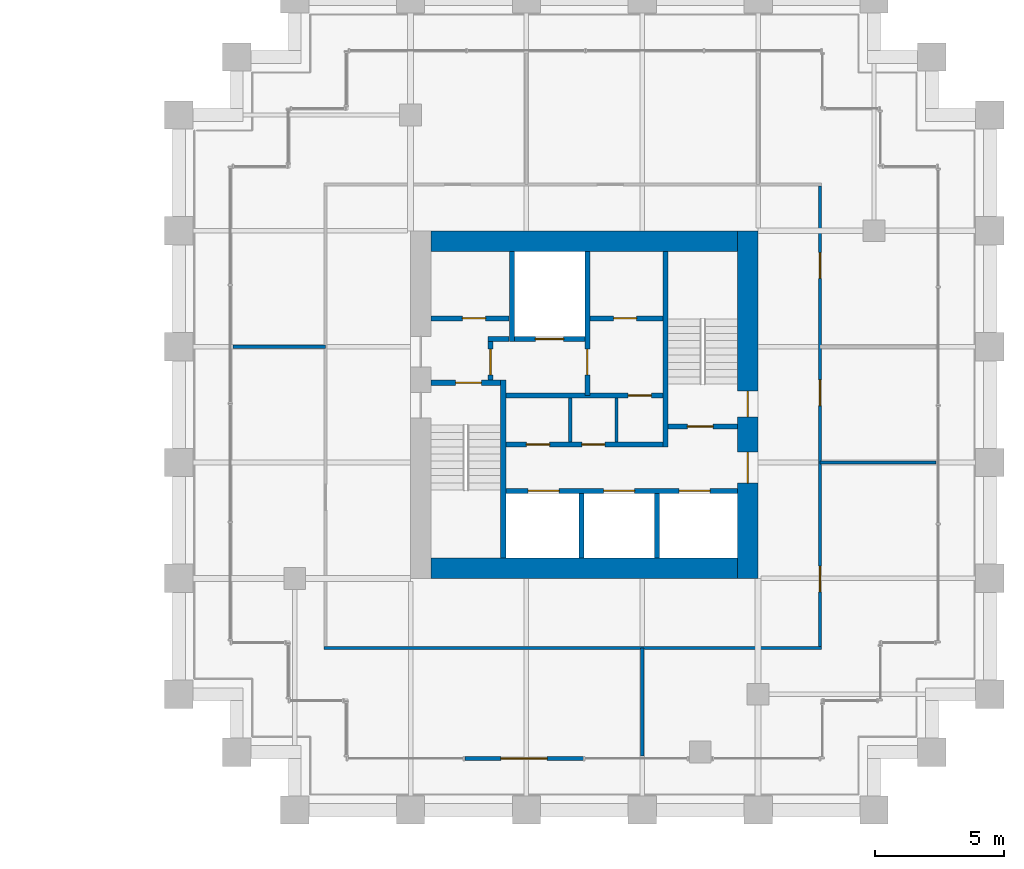
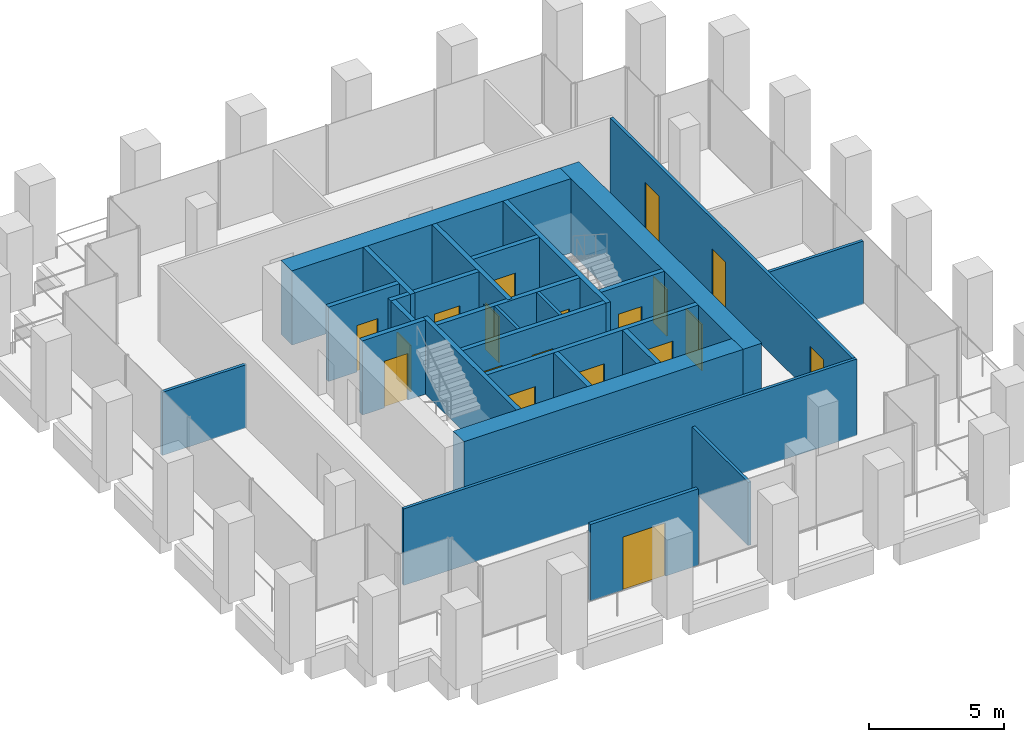
# One storey, part 52 of 54: 27 walls, 19 doors, 19 openings.
"""IFC4 building model written with IfcOpenShell, lengths in metres."""

import ifcopenshell
import ifcopenshell.guid

model = None  # the IFC model being written
_history = None  # IfcOwnerHistory: only IFC2X3 demands one
_inside = {}  # id of a spatial element -> (the spatial element, [elements in it])
_under = {}  # id of a project, library or spatial element -> (it, [spatial elements below it])
_declared = {}  # id of a project -> (the project, [libraries it declares])
_typed = {}  # id of a type object -> (the type object, [elements of that type])
_made_of = {}  # id of a material, layer set ... -> (it, [elements and type objects made of it])


def new_model(schema):
    """Start an empty IFC model of exactly this schema.

    Asked for "IFC4X3", IfcOpenShell would pick the latest addendum, in which some entities
    have other attributes; the version numbers below select the first issue.
    IFC2X3 requires an IfcOwnerHistory on every rooted entity: one is made here for all.
    """
    global model, _history
    if schema == "IFC4X3":
        model = ifcopenshell.file(schema_version=(4, 3, 0, 0))
    else:
        model = ifcopenshell.file(schema=schema)
    _inside.clear()
    _under.clear()
    _declared.clear()
    _typed.clear()
    _made_of.clear()
    _history = None
    if model.schema == "IFC2X3":
        org = make("IfcOrganization", Name="unknown")
        user = make(
            "IfcPersonAndOrganization",
            ThePerson=make("IfcPerson", FamilyName="unknown"),
            TheOrganization=org,
        )
        app = make(
            "IfcApplication",
            ApplicationDeveloper=org,
            Version="unknown",
            ApplicationFullName="unknown",
            ApplicationIdentifier="unknown",
        )
        _history = make(
            "IfcOwnerHistory",
            OwningUser=user,
            OwningApplication=app,
            ChangeAction="ADDED",
            CreationDate=0,
        )
    return model


def make(cls, **values):
    """One entity of the class cls with the attributes given. An attribute that is None is left unset."""
    return model.create_entity(
        cls, **{name: value for name, value in values.items() if value is not None}
    )


def rooted(cls, **values):
    """An entity with a GlobalId (a new one), such as an element, a storey or a relation."""
    return make(cls, GlobalId=ifcopenshell.guid.new(), OwnerHistory=_history, **values)


def si_unit(unit_type, name, prefix=None):
    """IfcSIUnit, for example si_unit("LENGTHUNIT", "METRE", prefix="MILLI")."""
    return make("IfcSIUnit", UnitType=unit_type, Prefix=prefix, Name=name)


def assignment(units):
    """IfcUnitAssignment: the units of a project."""
    return None if units is None else make("IfcUnitAssignment", Units=units)


def point(xyz):
    """IfcCartesianPoint."""
    return None if xyz is None else make("IfcCartesianPoint", Coordinates=xyz)


def direction(xyz):
    """IfcDirection."""
    return None if xyz is None else make("IfcDirection", DirectionRatios=xyz)


def frame(location, z_axis=None, x_axis=None):
    """IfcAxis2Placement3D, a coordinate frame: its origin and axes. An axis left out is left unset."""
    return make(
        "IfcAxis2Placement3D",
        Location=point(location),
        Axis=direction(z_axis),
        RefDirection=direction(x_axis),
    )


def frame_2d(location, x_axis=None):
    """IfcAxis2Placement2D, a coordinate frame in the plane: its origin and x axis."""
    return make(
        "IfcAxis2Placement2D", Location=point(location), RefDirection=direction(x_axis)
    )


def origin():
    """The frame at (0, 0, 0) with its axes left unset."""
    return frame((0.0, 0.0, 0.0))


def place(relative_to, where):
    """IfcLocalPlacement: puts the frame where relative to a parent placement (None: the world)."""
    return make(
        "IfcLocalPlacement", PlacementRelTo=relative_to, RelativePlacement=where
    )


def context(
    kind, dimensions, precision=None, world=None, true_north=None, identifier=None
):
    """IfcGeometricRepresentationContext, for example the 3D "Model" context."""
    return make(
        "IfcGeometricRepresentationContext",
        ContextIdentifier=identifier,
        ContextType=kind,
        CoordinateSpaceDimension=dimensions,
        Precision=precision,
        WorldCoordinateSystem=world,
        TrueNorth=true_north,
    )


def subcontext(parent, identifier, kind, view, scale=None):
    """IfcGeometricRepresentationSubContext, for example "Body" below "Model"."""
    return make(
        "IfcGeometricRepresentationSubContext",
        ContextIdentifier=identifier,
        ContextType=kind,
        ParentContext=parent,
        TargetScale=scale,
        TargetView=view,
    )


def project(units=None, contexts=None):
    """IfcProject with its units and contexts."""
    return rooted(
        "IfcProject",
        Name="project",
        RepresentationContexts=contexts,
        UnitsInContext=assignment(units),
    )


def spatial(cls, under=None, at=None, **own):
    """A site, building, storey or space (cls), placed at a placement, below another one or the project."""
    s = rooted(cls, ObjectPlacement=at, **own)
    if under is not None:
        _under.setdefault(under.id(), (under, []))[1].append(s)
    return s


def profile(cls, at=None, kind="AREA", **sizes):
    """A parametric profile (cls). Its sizes go by their IFC names, for example OverallWidth=200.0."""
    return make(cls, ProfileType=kind, Position=at, **sizes)


def rectangle(**sizes):
    """IfcRectangleProfileDef."""
    return profile("IfcRectangleProfileDef", **sizes)


def extrude(swept, where, along, depth):
    """IfcExtrudedAreaSolid: the profile swept, set in the frame where, extruded along a direction by depth."""
    return make(
        "IfcExtrudedAreaSolid",
        SweptArea=swept,
        Position=where,
        ExtrudedDirection=direction(along),
        Depth=depth,
    )


def shape(context_of_items, identifier, shape_type, items):
    """IfcShapeRepresentation: the items that make up one representation, for example the "Body"."""
    return make(
        "IfcShapeRepresentation",
        ContextOfItems=context_of_items,
        RepresentationIdentifier=identifier,
        RepresentationType=shape_type,
        Items=items,
    )


def material(Name=None, Category=None):
    """IfcMaterial."""
    return make("IfcMaterial", Name=Name, Category=Category)


def layer(
    of_material, thickness, ventilated=None, Name=None, Category=None, Priority=None
):
    """IfcMaterialLayer: one layer of a wall or slab, of a material (None: an air gap)."""
    return make(
        "IfcMaterialLayer",
        Material=of_material,
        LayerThickness=thickness,
        IsVentilated=ventilated,
        Name=Name,
        Category=Category,
        Priority=Priority,
    )


def layer_set(layers, Name=None):
    """IfcMaterialLayerSet."""
    return make("IfcMaterialLayerSet", MaterialLayers=layers, LayerSetName=Name)


def made_of(thing, what):
    """Note that an element or type object is made of a material, layer set ...; save() writes the relation."""
    if what is not None:
        _made_of.setdefault(what.id(), (what, []))[1].append(thing)
    return thing


def type_object(cls, material=None, **own):
    """A type object (cls), such as IfcWallType, which elements share."""
    return made_of(rooted(cls, **own), material)


def element(
    cls,
    number,
    at=None,
    inside=None,
    cuts=None,
    type_object=None,
    material=None,
    context=None,
    identifier="Body",
    shape_type=None,
    held_by="IfcProductDefinitionShape",
    body=None,
    shapes=None,
    **own,
):
    """One element of the class cls, such as IfcWall. Its Tag is "e" and its number.

    at: its placement. inside: the storey or other place that contains it. cuts: it is an
    opening in that element (IfcRelVoidsElement). A single representation is given by context,
    identifier, shape_type and body (its items); several are given by shapes. held_by: the class
    of the entity that holds the representations. save() writes the other relations.
    """
    e = rooted(cls, Tag="e%d" % number, ObjectPlacement=at, **own)
    if body is not None:
        shapes = [shape(context, identifier, shape_type, body)]
    if shapes is not None:
        e.Representation = make(held_by, Representations=shapes)
    if inside is not None:
        _inside.setdefault(inside.id(), (inside, []))[1].append(e)
    if cuts is not None:
        rooted(
            "IfcRelVoidsElement", RelatingBuildingElement=cuts, RelatedOpeningElement=e
        )
    if type_object is not None:
        _typed.setdefault(type_object.id(), (type_object, []))[1].append(e)
    return made_of(e, material)


def fill(opening, filler):
    """IfcRelFillsElement: the door or window that sits in an opening."""
    return rooted(
        "IfcRelFillsElement",
        RelatingOpeningElement=opening,
        RelatedBuildingElement=filler,
    )


def aggregate(whole, parts):
    """IfcRelAggregates: a whole, such as a stair, and the parts it consists of."""
    return rooted("IfcRelAggregates", RelatingObject=whole, RelatedObjects=parts)


def save(model, path):
    """Write the relations noted so far, then the file.

    IfcRelAggregates (storeys below a building ...), IfcRelContainedInSpatialStructure (elements
    in a storey), IfcRelDefinesByType, IfcRelAssociatesMaterial and IfcRelDeclares: one each for
    every whole, place, type object, material and project.
    """
    for whole, parts in _under.values():
        aggregate(whole, parts)
    for where, things in _inside.values():
        rooted(
            "IfcRelContainedInSpatialStructure",
            RelatedElements=things,
            RelatingStructure=where,
        )
    for kind, things in _typed.values():
        rooted("IfcRelDefinesByType", RelatedObjects=things, RelatingType=kind)
    for what, things in _made_of.values():
        rooted("IfcRelAssociatesMaterial", RelatedObjects=things, RelatingMaterial=what)
    for by, libraries in _declared.values():
        rooted("IfcRelDeclares", RelatingContext=by, RelatedDefinitions=libraries)
    model.write(path)


model = new_model("IFC4")

# Units and contexts
model_context = context("Model", 3, precision=1e-05, world=origin(), true_north=direction((0.0, 1.0)))
body_context = subcontext(model_context, "Body", "Model", "MODEL_VIEW")
ifc_project = project(units=[si_unit("LENGTHUNIT", "METRE"), si_unit("AREAUNIT", "SQUARE_METRE"), si_unit("VOLUMEUNIT", "CUBIC_METRE"), si_unit("PLANEANGLEUNIT", "RADIAN"), si_unit("MASSUNIT", "GRAM", prefix="KILO")], contexts=[model_context])

# Site, building, storey
site_placement = place(None, origin())
site = spatial("IfcSite", under=ifc_project, at=site_placement, CompositionType="ELEMENT")
building_placement = place(site_placement, origin())
building = spatial("IfcBuilding", under=site, at=building_placement, Name="Altepetl Exchange Towers", CompositionType="ELEMENT")
storey_placement = place(building_placement, frame((0.0, 0.0, 65.39990234375)))
storey = spatial("IfcBuildingStorey", under=building, at=storey_placement, Name="L15", CompositionType="ELEMENT", Elevation=65.39990234375)

# Wall, openings, doors
ifc_material_1 = material(Name="Concrete C70/85", Category="concrete")
ifc_layer_1 = layer(ifc_material_1, 0.800048828125)
ifc_layer_set_1 = layer_set([ifc_layer_1], Name="Concrete C70/85")
wall_type_1 = type_object("IfcWallType", Name="Core wall 800 reinforced concrete", PredefinedType="SHEAR", material=ifc_layer_set_1)
wall_1_placement = place(storey_placement, frame((116.60009765625, 36.0, 0.0), z_axis=(0.0, 0.0, 1.0), x_axis=(0.0, 1.0, 0.0)))
wall_1 = element("IfcWall", 1, at=wall_1_placement, inside=storey, type_object=wall_type_1, Name="wall:B:L15:K-coreE", PredefinedType="SHEAR", context=body_context, shape_type="SweptSolid", body=[
    extrude(rectangle(XDim=13.5, YDim=0.800048828125, at=frame_2d((6.75, 0.0))), origin(), (0.0, 0.0, 1.0), 3.35009765625),
])
opening_1_placement = place(wall_1_placement, frame((3.699951171875, 0.0, 0.0)))
opening_1 = element("IfcOpeningElement", 2, at=opening_1_placement, cuts=wall_1, Name="Opening L15.B61", PredefinedType="OPENING", context=body_context, shape_type="SweptSolid", body=[
    extrude(rectangle(XDim=1.199951171875, YDim=2.10009765625, at=frame_2d((0.60009765625, 1.050048828125))), frame((0.0, 0.41015625, 0.0), z_axis=(0.0, -1.0, 0.0), x_axis=(1.0, 0.0, 0.0)), (0.0, 0.0, 1.0), 0.820068359375),
])
opening_2_placement = place(wall_1_placement, frame((6.27490234375, 0.0, 0.0)))
opening_2 = element("IfcOpeningElement", 3, at=opening_2_placement, cuts=wall_1, Name="Opening L15.B65", PredefinedType="OPENING", context=body_context, shape_type="SweptSolid", body=[
    extrude(rectangle(XDim=1.0, YDim=2.10009765625, at=frame_2d((0.5, 1.050048828125))), frame((0.0, 0.41015625, 0.0), z_axis=(0.0, -1.0, 0.0), x_axis=(1.0, 0.0, 0.0)), (0.0, 0.0, 1.0), 0.820068359375),
])
ifc_material_2 = material(Name="Steel and timber fire door", Category="steel")
door_type_1 = type_object("IfcDoorType", Name="Fire door 1000 x 2100 stair and lobby", OperationType="SINGLE_SWING_LEFT", PredefinedType="DOOR", material=ifc_material_2)
door_1_placement = place(opening_2_placement, origin())
door_1 = element("IfcDoor", 4, at=door_1_placement, inside=storey, type_object=door_type_1, Name="door:B:L15:K-dS2x", OperationType="SINGLE_SWING_LEFT", OverallHeight=2.10009765625, OverallWidth=1.0, PredefinedType="DOOR", context=body_context, shape_type="SweptSolid", body=[
    extrude(rectangle(XDim=1.0, YDim=2.10009765625, at=frame_2d((0.5, 1.050048828125))), frame((0.0, 0.02490234375, 0.0), z_axis=(0.0, -1.0, 0.0), x_axis=(1.0, 0.0, 0.0)), (0.0, 0.0, 1.0), 0.050048828125),
])
fill(opening_2, door_1)
door_type_2 = type_object("IfcDoorType", Name="Fire door 1200 x 2100 lobby entry", OperationType="SINGLE_SWING_LEFT", PredefinedType="DOOR", material=ifc_material_2)
door_2_placement = place(opening_1_placement, origin())
door_2 = element("IfcDoor", 5, at=door_2_placement, inside=storey, type_object=door_type_2, Name="door:B:L15:K-dLSE", OperationType="SINGLE_SWING_RIGHT", OverallHeight=2.10009765625, OverallWidth=1.199951171875, PredefinedType="DOOR", context=body_context, shape_type="SweptSolid", body=[
    extrude(rectangle(XDim=1.199951171875, YDim=2.10009765625, at=frame_2d((0.60009765625, 1.050048828125))), frame((0.0, 0.02490234375, 0.0), z_axis=(0.0, -1.0, 0.0), x_axis=(1.0, 0.0, 0.0)), (0.0, 0.0, 1.0), 0.050048828125),
])
fill(opening_1, door_2)

# Walls
for number, where, name in (
    (6, (104.300048828125, 49.10009765625, 0.0), "wall:B:L15:K-coreN"),
    (7, (104.300048828125, 36.39990234375, 0.0), "wall:B:L15:K-coreS"),
):
    element("IfcWall", number, at=place(storey_placement, frame(where)), inside=storey, type_object=wall_type_1, Name=name, PredefinedType="SHEAR", context=body_context, shape_type="SweptSolid", body=[
        extrude(rectangle(XDim=11.89990234375, YDim=0.800048828125, at=frame_2d((5.949951171875, 0.0))), origin(), (0.0, 0.0, 1.0), 3.35009765625),
    ])

# Wall, opening, door
ifc_material_3 = material(Name="Aluminium composite cladding", Category="aluminium")
ifc_layer_2 = layer(ifc_material_3, 0.14990234375)
ifc_layer_set_2 = layer_set([ifc_layer_2], Name="Aluminium composite cladding")
wall_type_2 = type_object("IfcWallType", Name="Infill wall 150 aluminium panel", PredefinedType="SOLIDWALL", material=ifc_layer_set_2)
wall_2_placement = place(storey_placement, frame((105.606201171875, 29.0, 0.0)))
wall_2 = element("IfcWall", 8, at=wall_2_placement, inside=storey, type_object=wall_type_2, Name="Loggia door bay wall", PredefinedType="SOLIDWALL", context=body_context, shape_type="SweptSolid", body=[
    extrude(rectangle(XDim=4.606201171875, YDim=0.14990234375, at=frame_2d((2.30322265625, 0.0))), origin(), (0.0, 0.0, 1.0), 3.4501953125),
])
opening_3_placement = place(wall_2_placement, frame((1.403076171875, 0.0, 0.0)))
opening_3 = element("IfcOpeningElement", 9, at=opening_3_placement, cuts=wall_2, Name="Opening L15.B90", PredefinedType="OPENING", context=body_context, shape_type="SweptSolid", body=[
    extrude(rectangle(XDim=1.800048828125, YDim=2.39990234375, at=frame_2d((0.89990234375, 1.199951171875))), frame((0.0, 0.0849609375, 0.0), z_axis=(0.0, -1.0, 0.0), x_axis=(1.0, 0.0, 0.0)), (0.0, 0.0, 1.0), 0.169921875),
])
ifc_material_4 = material(Name="Aluminium 6063-T6 and glass", Category="aluminium")
door_type_3 = type_object("IfcDoorType", Name="Glazed door pair 1800x2400", OperationType="DOUBLE_DOOR_DOUBLE_SWING", PredefinedType="NOTDEFINED", material=ifc_material_4)
door_3_placement = place(opening_3_placement, frame((1.800048828125, 0.0, 0.0), x_axis=(-1.0, 0.0, 0.0)))
door_3 = element("IfcDoor", 10, at=door_3_placement, inside=storey, type_object=door_type_3, Name="Loggia door", OperationType="DOUBLE_DOOR_DOUBLE_SWING", OverallHeight=2.39990234375, OverallWidth=1.800048828125, PredefinedType="NOTDEFINED", context=body_context, shape_type="SweptSolid", body=[
    extrude(rectangle(XDim=1.800048828125, YDim=2.39990234375, at=frame_2d((0.89990234375, 1.199951171875))), frame((0.0, 0.02490234375, 0.0), z_axis=(0.0, -1.0, 0.0), x_axis=(1.0, 0.0, 0.0)), (0.0, 0.0, 1.0), 0.050048828125),
])
fill(opening_3, door_3)

# Wall
ifc_material_5 = material(Name="Concrete blockwork", Category="masonry")
ifc_layer_3 = layer(ifc_material_5, 0.199951171875)
ifc_layer_set_3 = layer_set([ifc_layer_3], Name="Concrete blockwork")
wall_type_3 = type_object("IfcWallType", Name="Lobby wall 200 blockwork", PredefinedType="PARTITIONING", material=ifc_layer_set_3)
wall_3_placement = place(storey_placement, frame((106.5, 45.300048828125, 0.0)))
element("IfcWall", 11, at=wall_3_placement, inside=storey, type_object=wall_type_3, Name="wall:B:L15:K-ffNw", PredefinedType="PARTITIONING", context=body_context, shape_type="SweptSolid", body=[
    extrude(rectangle(XDim=0.833251953125, YDim=0.199951171875, at=frame_2d((0.41650390625, 0.0))), origin(), (0.0, 0.0, 1.0), 3.35009765625),
])

# Wall, opening, door
wall_4_placement = place(storey_placement, frame((106.60009765625, 43.699951171875, 0.0), z_axis=(0.0, 0.0, 1.0), x_axis=(0.0, 1.0, 0.0)))
wall_4 = element("IfcWall", 12, at=wall_4_placement, inside=storey, type_object=wall_type_3, Name="wall:B:L15:K-ffW", PredefinedType="PARTITIONING", context=body_context, shape_type="SweptSolid", body=[
    extrude(rectangle(XDim=1.5, YDim=0.199951171875, at=frame_2d((0.75, 0.0))), origin(), (0.0, 0.0, 1.0), 3.35009765625),
])
opening_4_placement = place(wall_4_placement, frame((0.199951171875, 0.0, 0.0)))
opening_4 = element("IfcOpeningElement", 13, at=opening_4_placement, cuts=wall_4, Name="Opening L15.B67", PredefinedType="OPENING", context=body_context, shape_type="SweptSolid", body=[
    extrude(rectangle(XDim=1.0, YDim=2.10009765625, at=frame_2d((0.5, 1.050048828125))), frame((0.0, 0.10986328125, 0.0), z_axis=(0.0, -1.0, 0.0), x_axis=(1.0, 0.0, 0.0)), (0.0, 0.0, 1.0), 0.219970703125),
])
door_4_placement = place(opening_4_placement, frame((1.0, 0.0, 0.0), x_axis=(-1.0, 0.0, 0.0)))
door_4 = element("IfcDoor", 14, at=door_4_placement, inside=storey, type_object=door_type_1, Name="door:B:L15:K-dffW", OperationType="SINGLE_SWING_LEFT", OverallHeight=2.10009765625, OverallWidth=1.0, PredefinedType="DOOR", context=body_context, shape_type="SweptSolid", body=[
    extrude(rectangle(XDim=1.0, YDim=2.10009765625, at=frame_2d((0.5, 1.050048828125))), frame((0.0, 0.02490234375, 0.0), z_axis=(0.0, -1.0, 0.0), x_axis=(1.0, 0.0, 0.0)), (0.0, 0.0, 1.0), 0.050048828125),
])
fill(opening_4, door_4)

wall_5_placement = place(storey_placement, frame((107.199951171875, 43.10009765625, 0.0)))
wall_5 = element("IfcWall", 15, at=wall_5_placement, inside=storey, type_object=wall_type_3, Name="wall:B:L15:K-zoneN", PredefinedType="PARTITIONING", context=body_context, shape_type="SweptSolid", body=[
    extrude(rectangle(XDim=6.10009765625, YDim=0.199951171875, at=frame_2d((3.050048828125, 0.0))), origin(), (0.0, 0.0, 1.0), 3.35009765625),
])
opening_5_placement = place(wall_5_placement, frame((4.75, 0.0, 0.0)))
opening_5 = element("IfcOpeningElement", 16, at=opening_5_placement, cuts=wall_5, Name="Opening L15.B72", PredefinedType="OPENING", context=body_context, shape_type="SweptSolid", body=[
    extrude(rectangle(XDim=0.89990234375, YDim=2.10009765625, at=frame_2d((0.449951171875, 1.050048828125))), frame((0.0, 0.10986328125, 0.0), z_axis=(0.0, -1.0, 0.0), x_axis=(1.0, 0.0, 0.0)), (0.0, 0.0, 1.0), 0.219970703125),
])
door_type_4 = type_object("IfcDoorType", Name="Fire door 900 x 2100 service room", OperationType="SINGLE_SWING_LEFT", PredefinedType="DOOR", material=ifc_material_2)
door_5_placement = place(opening_5_placement, frame((0.89990234375, 0.0, 0.0), x_axis=(-1.0, 0.0, 0.0)))
door_5 = element("IfcDoor", 17, at=door_5_placement, inside=storey, type_object=door_type_4, Name="door:B:L15:K-dz3", OperationType="SINGLE_SWING_RIGHT", OverallHeight=2.10009765625, OverallWidth=0.89990234375, PredefinedType="DOOR", context=body_context, shape_type="SweptSolid", body=[
    extrude(rectangle(XDim=0.89990234375, YDim=2.10009765625, at=frame_2d((0.449951171875, 1.050048828125))), frame((0.0, 0.02490234375, 0.0), z_axis=(0.0, -1.0, 0.0), x_axis=(1.0, 0.0, 0.0)), (0.0, 0.0, 1.0), 0.050048828125),
])
fill(opening_5, door_5)

# Wall, openings, doors
wall_6_placement = place(storey_placement, frame((107.199951171875, 41.199951171875, 0.0)))
wall_6 = element("IfcWall", 18, at=wall_6_placement, inside=storey, type_object=wall_type_3, Name="wall:B:L15:K-zoneS", PredefinedType="PARTITIONING", context=body_context, shape_type="SweptSolid", body=[
    extrude(rectangle(XDim=6.10009765625, YDim=0.199951171875, at=frame_2d((3.050048828125, 0.0))), origin(), (0.0, 0.0, 1.0), 3.35009765625),
])
opening_6_placement = place(wall_6_placement, frame((0.800048828125, 0.0, 0.0)))
opening_6 = element("IfcOpeningElement", 19, at=opening_6_placement, cuts=wall_6, Name="Opening L15.B70", PredefinedType="OPENING", context=body_context, shape_type="SweptSolid", body=[
    extrude(rectangle(XDim=0.89990234375, YDim=2.10009765625, at=frame_2d((0.449951171875, 1.050048828125))), frame((0.0, 0.10986328125, 0.0), z_axis=(0.0, -1.0, 0.0), x_axis=(1.0, 0.0, 0.0)), (0.0, 0.0, 1.0), 0.219970703125),
])
opening_7_placement = place(wall_6_placement, frame((2.949951171875, 0.0, 0.0)))
opening_7 = element("IfcOpeningElement", 20, at=opening_7_placement, cuts=wall_6, Name="Opening L15.B71", PredefinedType="OPENING", context=body_context, shape_type="SweptSolid", body=[
    extrude(rectangle(XDim=0.89990234375, YDim=2.10009765625, at=frame_2d((0.449951171875, 1.050048828125))), frame((0.0, 0.10986328125, 0.0), z_axis=(0.0, -1.0, 0.0), x_axis=(1.0, 0.0, 0.0)), (0.0, 0.0, 1.0), 0.219970703125),
])
door_6_placement = place(opening_6_placement, origin())
door_6 = element("IfcDoor", 21, at=door_6_placement, inside=storey, type_object=door_type_4, Name="door:B:L15:K-dz1", OperationType="SINGLE_SWING_RIGHT", OverallHeight=2.10009765625, OverallWidth=0.89990234375, PredefinedType="DOOR", context=body_context, shape_type="SweptSolid", body=[
    extrude(rectangle(XDim=0.89990234375, YDim=2.10009765625, at=frame_2d((0.449951171875, 1.050048828125))), frame((0.0, 0.02490234375, 0.0), z_axis=(0.0, -1.0, 0.0), x_axis=(1.0, 0.0, 0.0)), (0.0, 0.0, 1.0), 0.050048828125),
])
fill(opening_6, door_6)
door_7_placement = place(opening_7_placement, origin())
door_7 = element("IfcDoor", 22, at=door_7_placement, inside=storey, type_object=door_type_4, Name="door:B:L15:K-dz2", OperationType="SINGLE_SWING_RIGHT", OverallHeight=2.10009765625, OverallWidth=0.89990234375, PredefinedType="DOOR", context=body_context, shape_type="SweptSolid", body=[
    extrude(rectangle(XDim=0.89990234375, YDim=2.10009765625, at=frame_2d((0.449951171875, 1.050048828125))), frame((0.0, 0.02490234375, 0.0), z_axis=(0.0, -1.0, 0.0), x_axis=(1.0, 0.0, 0.0)), (0.0, 0.0, 1.0), 0.050048828125),
])
fill(opening_7, door_7)

# Walls
ifc_material_6 = material(Name="Gypsum board on steel studs", Category="steel")
ifc_layer_4 = layer(ifc_material_6, 0.125)
ifc_layer_set_4 = layer_set([ifc_layer_4], Name="Gypsum board on steel studs")
wall_type_4 = type_object("IfcWallType", Name="Partition 125 gypsum board on steel studs", PredefinedType="PARTITIONING", material=ifc_layer_set_4)
for number, where, z_axis, x_axis, name in (
    (23, (109.699951171875, 41.300048828125, 0.0), (0.0, 0.0, 1.0), (0.0, 1.0, 0.0), "wall:B:L15:K-zp1"),
    (24, (111.5, 41.300048828125, 0.0), (0.0, 0.0, 1.0), (0.0, 1.0, 0.0), "wall:B:L15:K-zp2"),
):
    element("IfcWall", number, at=place(storey_placement, frame(where, z_axis=z_axis, x_axis=x_axis)), inside=storey, type_object=wall_type_4, Name=name, PredefinedType="PARTITIONING", context=body_context, shape_type="SweptSolid", body=[
        extrude(rectangle(XDim=1.699951171875, YDim=0.125, at=frame_2d((0.85009765625, 0.0))), origin(), (0.0, 0.0, 1.0), 3.35009765625),
    ])
wall_7_placement = place(storey_placement, frame((100.137451171875, 33.300048828125, 0.0)))
element("IfcWall", 25, at=wall_7_placement, inside=storey, type_object=wall_type_4, Name="wall:B:L15:P01", PredefinedType="PARTITIONING", context=body_context, shape_type="SweptSolid", body=[
    extrude(rectangle(XDim=19.324951171875, YDim=0.125, at=frame_2d((9.66259765625, 0.0))), origin(), (0.0, 0.0, 1.0), 3.4501953125),
])
wall_8_placement = place(storey_placement, frame((119.39990234375, 40.5, 0.0)))
element("IfcWall", 26, at=wall_8_placement, inside=storey, type_object=wall_type_4, Name="wall:B:L15:P02", PredefinedType="PARTITIONING", context=body_context, shape_type="SweptSolid", body=[
    extrude(rectangle(XDim=4.5, YDim=0.125, at=frame_2d((2.25, 0.0))), origin(), (0.0, 0.0, 1.0), 2.85107421875),
])
wall_9_placement = place(storey_placement, frame((96.60009765625, 45.0, 0.0)))
element("IfcWall", 27, at=wall_9_placement, inside=storey, type_object=wall_type_4, Name="wall:B:L15:P03", PredefinedType="PARTITIONING", context=body_context, shape_type="SweptSolid", body=[
    extrude(rectangle(XDim=3.599853515625, YDim=0.125, at=frame_2d((1.7998046875, 0.0))), origin(), (0.0, 0.0, 1.0), 2.85107421875),
])
wall_10_placement = place(storey_placement, frame((112.5, 29.10009765625, 0.0), z_axis=(0.0, 0.0, 1.0), x_axis=(0.0, 1.0, 0.0)))
element("IfcWall", 28, at=wall_10_placement, inside=storey, type_object=wall_type_4, Name="wall:B:L15:P08", PredefinedType="PARTITIONING", context=body_context, shape_type="SweptSolid", body=[
    extrude(rectangle(XDim=4.199951171875, YDim=0.125, at=frame_2d((2.10009765625, 0.0))), origin(), (0.0, 0.0, 1.0), 2.85107421875),
])

# Wall, openings, doors
wall_11_placement = place(storey_placement, frame((119.39990234375, 33.362548828125, 0.0), z_axis=(0.0, 0.0, 1.0), x_axis=(0.0, 1.0, 0.0)))
wall_11 = element("IfcWall", 29, at=wall_11_placement, inside=storey, type_object=wall_type_4, Name="wall:B:L15:P10", PredefinedType="PARTITIONING", context=body_context, shape_type="SweptSolid", body=[
    extrude(rectangle(XDim=17.875, YDim=0.125, at=frame_2d((8.9375, 0.0))), origin(), (0.0, 0.0, 1.0), 3.4501953125),
])
opening_8_placement = place(wall_11_placement, frame((2.109619140625, 0.0, 0.0)))
opening_8 = element("IfcOpeningElement", 30, at=opening_8_placement, cuts=wall_11, Name="Opening L15.B02", PredefinedType="OPENING", context=body_context, shape_type="SweptSolid", body=[
    extrude(rectangle(XDim=1.0, YDim=2.10009765625, at=frame_2d((0.5, 1.050048828125))), frame((0.0, 0.072509765625, 0.0), z_axis=(0.0, -1.0, 0.0), x_axis=(1.0, 0.0, 0.0)), (0.0, 0.0, 1.0), 0.14501953125),
])
opening_9_placement = place(wall_11_placement, frame((9.342529296875, 0.0, 0.0)))
opening_9 = element("IfcOpeningElement", 31, at=opening_9_placement, cuts=wall_11, Name="Opening L15.B03", PredefinedType="OPENING", context=body_context, shape_type="SweptSolid", body=[
    extrude(rectangle(XDim=1.0, YDim=2.10009765625, at=frame_2d((0.5, 1.050048828125))), frame((0.0, 0.072509765625, 0.0), z_axis=(0.0, -1.0, 0.0), x_axis=(1.0, 0.0, 0.0)), (0.0, 0.0, 1.0), 0.14501953125),
])
opening_10_placement = place(wall_11_placement, frame((14.28759765625, 0.0, 0.0)))
opening_10 = element("IfcOpeningElement", 32, at=opening_10_placement, cuts=wall_11, Name="Opening L15.B04", PredefinedType="OPENING", context=body_context, shape_type="SweptSolid", body=[
    extrude(rectangle(XDim=1.0, YDim=2.10009765625, at=frame_2d((0.5, 1.050048828125))), frame((0.0, 0.072509765625, 0.0), z_axis=(0.0, -1.0, 0.0), x_axis=(1.0, 0.0, 0.0)), (0.0, 0.0, 1.0), 0.14501953125),
])
door_type_5 = type_object("IfcDoorType", Name="Fire door 1000 x 2100 single leaf", OperationType="SINGLE_SWING_LEFT", PredefinedType="DOOR", material=ifc_material_2)
door_8_placement = place(opening_8_placement, frame((1.0, 0.0, 0.0), x_axis=(-1.0, 0.0, 0.0)))
door_8 = element("IfcDoor", 33, at=door_8_placement, inside=storey, type_object=door_type_5, Name="door:B:L15:02", OperationType="SINGLE_SWING_RIGHT", OverallHeight=2.10009765625, OverallWidth=1.0, PredefinedType="DOOR", context=body_context, shape_type="SweptSolid", body=[
    extrude(rectangle(XDim=1.0, YDim=2.10009765625, at=frame_2d((0.5, 1.050048828125))), frame((0.0, 0.02490234375, 0.0), z_axis=(0.0, -1.0, 0.0), x_axis=(1.0, 0.0, 0.0)), (0.0, 0.0, 1.0), 0.050048828125),
])
fill(opening_8, door_8)
door_9_placement = place(opening_9_placement, frame((1.0, 0.0, 0.0), x_axis=(-1.0, 0.0, 0.0)))
door_9 = element("IfcDoor", 34, at=door_9_placement, inside=storey, type_object=door_type_5, Name="door:B:L15:03", OperationType="SINGLE_SWING_LEFT", OverallHeight=2.10009765625, OverallWidth=1.0, PredefinedType="DOOR", context=body_context, shape_type="SweptSolid", body=[
    extrude(rectangle(XDim=1.0, YDim=2.10009765625, at=frame_2d((0.5, 1.050048828125))), frame((0.0, 0.02490234375, 0.0), z_axis=(0.0, -1.0, 0.0), x_axis=(1.0, 0.0, 0.0)), (0.0, 0.0, 1.0), 0.050048828125),
])
fill(opening_9, door_9)
door_10_placement = place(opening_10_placement, frame((1.0, 0.0, 0.0), x_axis=(-1.0, 0.0, 0.0)))
door_10 = element("IfcDoor", 35, at=door_10_placement, inside=storey, type_object=door_type_5, Name="door:B:L15:04", OperationType="SINGLE_SWING_RIGHT", OverallHeight=2.10009765625, OverallWidth=1.0, PredefinedType="DOOR", context=body_context, shape_type="SweptSolid", body=[
    extrude(rectangle(XDim=1.0, YDim=2.10009765625, at=frame_2d((0.5, 1.050048828125))), frame((0.0, 0.02490234375, 0.0), z_axis=(0.0, -1.0, 0.0), x_axis=(1.0, 0.0, 0.0)), (0.0, 0.0, 1.0), 0.050048828125),
])
fill(opening_10, door_10)

# Wall
ifc_material_7 = material(Name="Concrete C40/50", Category="concrete")
ifc_layer_5 = layer(ifc_material_7, 0.199951171875)
ifc_layer_set_5 = layer_set([ifc_layer_5], Name="Concrete C40/50")
wall_type_5 = type_object("IfcWallType", Name="Shaft wall 200 reinforced concrete", PredefinedType="SHEAR", material=ifc_layer_set_5)
wall_12_placement = place(storey_placement, frame((107.433349609375, 48.699951171875, 0.0), z_axis=(0.0, 0.0, 1.0), x_axis=(0.0, -1.0, 0.0)))
element("IfcWall", 36, at=wall_12_placement, inside=storey, type_object=wall_type_5, Name="wall:B:L15:K-divN1", PredefinedType="SHEAR", context=body_context, shape_type="SweptSolid", body=[
    extrude(rectangle(XDim=3.5, YDim=0.199951171875, at=frame_2d((1.75, 0.0))), origin(), (0.0, 0.0, 1.0), 3.35009765625),
])

# Wall, opening, door
wall_13_placement = place(storey_placement, frame((110.36669921875, 48.699951171875, 0.0), z_axis=(0.0, 0.0, 1.0), x_axis=(0.0, -1.0, 0.0)))
wall_13 = element("IfcWall", 37, at=wall_13_placement, inside=storey, type_object=wall_type_5, Name="wall:B:L15:K-divN2", PredefinedType="SHEAR", context=body_context, shape_type="SweptSolid", body=[
    extrude(rectangle(XDim=5.599853515625, YDim=0.199951171875, at=frame_2d((2.7998046875, 0.0))), origin(), (0.0, 0.0, 1.0), 3.35009765625),
])
opening_11_placement = place(wall_13_placement, frame((3.800048828125, 0.0, 0.0)))
opening_11 = element("IfcOpeningElement", 38, at=opening_11_placement, cuts=wall_13, Name="Opening L15.B66", PredefinedType="OPENING", context=body_context, shape_type="SweptSolid", body=[
    extrude(rectangle(XDim=1.0, YDim=2.10009765625, at=frame_2d((0.5, 1.050048828125))), frame((0.0, 0.10986328125, 0.0), z_axis=(0.0, -1.0, 0.0), x_axis=(1.0, 0.0, 0.0)), (0.0, 0.0, 1.0), 0.219970703125),
])
door_11_placement = place(opening_11_placement, frame((1.0, 0.0, 0.0), x_axis=(-1.0, 0.0, 0.0)))
door_11 = element("IfcDoor", 39, at=door_11_placement, inside=storey, type_object=door_type_1, Name="door:B:L15:K-dffE", OperationType="SINGLE_SWING_RIGHT", OverallHeight=2.10009765625, OverallWidth=1.0, PredefinedType="DOOR", context=body_context, shape_type="SweptSolid", body=[
    extrude(rectangle(XDim=1.0, YDim=2.10009765625, at=frame_2d((0.5, 1.050048828125))), frame((0.0, 0.02490234375, 0.0), z_axis=(0.0, -1.0, 0.0), x_axis=(1.0, 0.0, 0.0)), (0.0, 0.0, 1.0), 0.050048828125),
])
fill(opening_11, door_11)

# Walls
for number, where, z_axis, x_axis, name in (
    (40, (110.13330078125, 36.800048828125, 0.0), (0.0, 0.0, 1.0), (0.0, 1.0, 0.0), "wall:B:L15:K-divS1"),
    (41, (113.066650390625, 36.800048828125, 0.0), (0.0, 0.0, 1.0), (0.0, 1.0, 0.0), "wall:B:L15:K-divS2"),
):
    element("IfcWall", number, at=place(storey_placement, frame(where, z_axis=z_axis, x_axis=x_axis)), inside=storey, type_object=wall_type_5, Name=name, PredefinedType="SHEAR", context=body_context, shape_type="SweptSolid", body=[
        extrude(rectangle(XDim=2.5, YDim=0.199951171875, at=frame_2d((1.25, 0.0))), origin(), (0.0, 0.0, 1.0), 3.35009765625),
    ])

# Wall, opening, door
wall_14_placement = place(storey_placement, frame((104.300048828125, 46.10009765625, 0.0)))
wall_14 = element("IfcWall", 42, at=wall_14_placement, inside=storey, type_object=wall_type_5, Name="wall:B:L15:K-frontNa", PredefinedType="SHEAR", context=body_context, shape_type="SweptSolid", body=[
    extrude(rectangle(XDim=3.033203125, YDim=0.199951171875, at=frame_2d((1.5166015625, 0.0))), origin(), (0.0, 0.0, 1.0), 3.35009765625),
])
opening_12_placement = place(wall_14_placement, frame((1.216796875, 0.0, 0.0)))
opening_12 = element("IfcOpeningElement", 43, at=opening_12_placement, cuts=wall_14, Name="Opening L15.B68", PredefinedType="OPENING", context=body_context, shape_type="SweptSolid", body=[
    extrude(rectangle(XDim=0.89990234375, YDim=2.10009765625, at=frame_2d((0.449951171875, 1.050048828125))), frame((0.0, 0.10986328125, 0.0), z_axis=(0.0, -1.0, 0.0), x_axis=(1.0, 0.0, 0.0)), (0.0, 0.0, 1.0), 0.219970703125),
])
door_12_placement = place(opening_12_placement, origin())
door_12 = element("IfcDoor", 44, at=door_12_placement, inside=storey, type_object=door_type_4, Name="door:B:L15:K-dslotN0", OperationType="SINGLE_SWING_RIGHT", OverallHeight=2.10009765625, OverallWidth=0.89990234375, PredefinedType="DOOR", context=body_context, shape_type="SweptSolid", body=[
    extrude(rectangle(XDim=0.89990234375, YDim=2.10009765625, at=frame_2d((0.449951171875, 1.050048828125))), frame((0.0, 0.02490234375, 0.0), z_axis=(0.0, -1.0, 0.0), x_axis=(1.0, 0.0, 0.0)), (0.0, 0.0, 1.0), 0.050048828125),
])
fill(opening_12, door_12)

wall_15_placement = place(storey_placement, frame((110.466796875, 46.10009765625, 0.0)))
wall_15 = element("IfcWall", 45, at=wall_15_placement, inside=storey, type_object=wall_type_5, Name="wall:B:L15:K-frontNb", PredefinedType="SHEAR", context=body_context, shape_type="SweptSolid", body=[
    extrude(rectangle(XDim=2.833251953125, YDim=0.199951171875, at=frame_2d((1.41650390625, 0.0))), origin(), (0.0, 0.0, 1.0), 3.35009765625),
])
opening_13_placement = place(wall_15_placement, frame((0.91650390625, 0.0, 0.0)))
opening_13 = element("IfcOpeningElement", 46, at=opening_13_placement, cuts=wall_15, Name="Opening L15.B69", PredefinedType="OPENING", context=body_context, shape_type="SweptSolid", body=[
    extrude(rectangle(XDim=0.89990234375, YDim=2.10009765625, at=frame_2d((0.449951171875, 1.050048828125))), frame((0.0, 0.10986328125, 0.0), z_axis=(0.0, -1.0, 0.0), x_axis=(1.0, 0.0, 0.0)), (0.0, 0.0, 1.0), 0.219970703125),
])
door_13_placement = place(opening_13_placement, origin())
door_13 = element("IfcDoor", 47, at=door_13_placement, inside=storey, type_object=door_type_4, Name="door:B:L15:K-dslotN2", OperationType="SINGLE_SWING_RIGHT", OverallHeight=2.10009765625, OverallWidth=0.89990234375, PredefinedType="DOOR", context=body_context, shape_type="SweptSolid", body=[
    extrude(rectangle(XDim=0.89990234375, YDim=2.10009765625, at=frame_2d((0.449951171875, 1.050048828125))), frame((0.0, 0.02490234375, 0.0), z_axis=(0.0, -1.0, 0.0), x_axis=(1.0, 0.0, 0.0)), (0.0, 0.0, 1.0), 0.050048828125),
])
fill(opening_13, door_13)

wall_16_placement = place(storey_placement, frame((107.533203125, 45.300048828125, 0.0)))
wall_16 = element("IfcWall", 48, at=wall_16_placement, inside=storey, type_object=wall_type_5, Name="wall:B:L15:K-frontNd", PredefinedType="SHEAR", context=body_context, shape_type="SweptSolid", body=[
    extrude(rectangle(XDim=2.7333984375, YDim=0.199951171875, at=frame_2d((1.36669921875, 0.0))), origin(), (0.0, 0.0, 1.0), 3.35009765625),
])
opening_14_placement = place(wall_16_placement, frame((0.816650390625, 0.0, 0.0)))
opening_14 = element("IfcOpeningElement", 49, at=opening_14_placement, cuts=wall_16, Name="Opening L15.B73", PredefinedType="OPENING", context=body_context, shape_type="SweptSolid", body=[
    extrude(rectangle(XDim=1.10009765625, YDim=2.10009765625, at=frame_2d((0.550048828125, 1.050048828125))), frame((0.0, 0.10986328125, 0.0), z_axis=(0.0, -1.0, 0.0), x_axis=(1.0, 0.0, 0.0)), (0.0, 0.0, 1.0), 0.219970703125),
])
ifc_material_8 = material(Name="Stainless steel", Category="steel")
door_type_6 = type_object("IfcDoorType", Name="Lift landing door 1100 x 2100", OperationType="SLIDING_TO_LEFT", PredefinedType="DOOR", material=ifc_material_8)
door_14_placement = place(opening_14_placement, origin())
door_14 = element("IfcDoor", 50, at=door_14_placement, inside=storey, type_object=door_type_6, Name="Landing door FFL1", OperationType="SLIDING_TO_LEFT", OverallHeight=2.10009765625, OverallWidth=1.10009765625, PredefinedType="DOOR", context=body_context, shape_type="SweptSolid", body=[
    extrude(rectangle(XDim=1.10009765625, YDim=2.10009765625, at=frame_2d((0.550048828125, 1.050048828125))), frame((0.0, 0.02490234375, 0.0), z_axis=(0.0, -1.0, 0.0), x_axis=(1.0, 0.0, 0.0)), (0.0, 0.0, 1.0), 0.050048828125),
])
fill(opening_14, door_14)

# Wall, openings, doors
wall_17_placement = place(storey_placement, frame((107.199951171875, 39.39990234375, 0.0)))
wall_17 = element("IfcWall", 51, at=wall_17_placement, inside=storey, type_object=wall_type_5, Name="wall:B:L15:K-frontS", PredefinedType="SHEAR", context=body_context, shape_type="SweptSolid", body=[
    extrude(rectangle(XDim=9.0, YDim=0.199951171875, at=frame_2d((4.5, 0.0))), origin(), (0.0, 0.0, 1.0), 3.35009765625),
])
opening_15_placement = place(wall_17_placement, frame((0.86669921875, 0.0, 0.0)))
opening_15 = element("IfcOpeningElement", 52, at=opening_15_placement, cuts=wall_17, Name="Opening L15.B74", PredefinedType="OPENING", context=body_context, shape_type="SweptSolid", body=[
    extrude(rectangle(XDim=1.199951171875, YDim=2.10009765625, at=frame_2d((0.60009765625, 1.050048828125))), frame((0.0, 0.10986328125, 0.0), z_axis=(0.0, -1.0, 0.0), x_axis=(1.0, 0.0, 0.0)), (0.0, 0.0, 1.0), 0.219970703125),
])
opening_16_placement = place(wall_17_placement, frame((3.800048828125, 0.0, 0.0)))
opening_16 = element("IfcOpeningElement", 53, at=opening_16_placement, cuts=wall_17, Name="Opening L15.B75", PredefinedType="OPENING", context=body_context, shape_type="SweptSolid", body=[
    extrude(rectangle(XDim=1.199951171875, YDim=2.10009765625, at=frame_2d((0.60009765625, 1.050048828125))), frame((0.0, 0.10986328125, 0.0), z_axis=(0.0, -1.0, 0.0), x_axis=(1.0, 0.0, 0.0)), (0.0, 0.0, 1.0), 0.219970703125),
])
opening_17_placement = place(wall_17_placement, frame((6.7333984375, 0.0, 0.0)))
opening_17 = element("IfcOpeningElement", 54, at=opening_17_placement, cuts=wall_17, Name="Opening L15.B76", PredefinedType="OPENING", context=body_context, shape_type="SweptSolid", body=[
    extrude(rectangle(XDim=1.199951171875, YDim=2.10009765625, at=frame_2d((0.60009765625, 1.050048828125))), frame((0.0, 0.10986328125, 0.0), z_axis=(0.0, -1.0, 0.0), x_axis=(1.0, 0.0, 0.0)), (0.0, 0.0, 1.0), 0.219970703125),
])
door_type_7 = type_object("IfcDoorType", Name="Lift landing door 1200 x 2100", OperationType="SLIDING_TO_LEFT", PredefinedType="DOOR", material=ifc_material_8)
door_15_placement = place(opening_15_placement, origin())
door_15 = element("IfcDoor", 55, at=door_15_placement, inside=storey, type_object=door_type_7, Name="Landing door P1", OperationType="SLIDING_TO_LEFT", OverallHeight=2.10009765625, OverallWidth=1.199951171875, PredefinedType="DOOR", context=body_context, shape_type="SweptSolid", body=[
    extrude(rectangle(XDim=1.199951171875, YDim=2.10009765625, at=frame_2d((0.60009765625, 1.050048828125))), frame((0.0, 0.02490234375, 0.0), z_axis=(0.0, -1.0, 0.0), x_axis=(1.0, 0.0, 0.0)), (0.0, 0.0, 1.0), 0.050048828125),
])
fill(opening_15, door_15)
door_16_placement = place(opening_16_placement, origin())
door_16 = element("IfcDoor", 56, at=door_16_placement, inside=storey, type_object=door_type_7, Name="Landing door P2", OperationType="SLIDING_TO_LEFT", OverallHeight=2.10009765625, OverallWidth=1.199951171875, PredefinedType="DOOR", context=body_context, shape_type="SweptSolid", body=[
    extrude(rectangle(XDim=1.199951171875, YDim=2.10009765625, at=frame_2d((0.60009765625, 1.050048828125))), frame((0.0, 0.02490234375, 0.0), z_axis=(0.0, -1.0, 0.0), x_axis=(1.0, 0.0, 0.0)), (0.0, 0.0, 1.0), 0.050048828125),
])
fill(opening_16, door_16)
door_17_placement = place(opening_17_placement, origin())
door_17 = element("IfcDoor", 57, at=door_17_placement, inside=storey, type_object=door_type_7, Name="Landing door P3", OperationType="SLIDING_TO_LEFT", OverallHeight=2.10009765625, OverallWidth=1.199951171875, PredefinedType="DOOR", context=body_context, shape_type="SweptSolid", body=[
    extrude(rectangle(XDim=1.199951171875, YDim=2.10009765625, at=frame_2d((0.60009765625, 1.050048828125))), frame((0.0, 0.02490234375, 0.0), z_axis=(0.0, -1.0, 0.0), x_axis=(1.0, 0.0, 0.0)), (0.0, 0.0, 1.0), 0.050048828125),
])
fill(opening_17, door_17)

# Wall
ifc_layer_6 = layer(ifc_material_7, 0.199951171875)
ifc_layer_set_6 = layer_set([ifc_layer_6], Name="Concrete C40/50")
wall_type_6 = type_object("IfcWallType", Name="Stair wall 200 reinforced concrete", PredefinedType="SHEAR", material=ifc_layer_set_6)
wall_18_placement = place(storey_placement, frame((107.10009765625, 36.800048828125, 0.0), z_axis=(0.0, 0.0, 1.0), x_axis=(0.0, 1.0, 0.0)))
element("IfcWall", 58, at=wall_18_placement, inside=storey, type_object=wall_type_6, Name="wall:B:L15:K-stS1E", PredefinedType="SHEAR", context=body_context, shape_type="SweptSolid", body=[
    extrude(rectangle(XDim=6.89990234375, YDim=0.199951171875, at=frame_2d((3.449951171875, 0.0))), origin(), (0.0, 0.0, 1.0), 3.35009765625),
])

# Wall, opening, door
wall_19_placement = place(storey_placement, frame((104.300048828125, 43.60009765625, 0.0)))
wall_19 = element("IfcWall", 59, at=wall_19_placement, inside=storey, type_object=wall_type_6, Name="wall:B:L15:K-stS1N", PredefinedType="SHEAR", context=body_context, shape_type="SweptSolid", body=[
    extrude(rectangle(XDim=2.699951171875, YDim=0.199951171875, at=frame_2d((1.35009765625, 0.0))), origin(), (0.0, 0.0, 1.0), 3.35009765625),
])
opening_18_placement = place(wall_19_placement, frame((0.949951171875, 0.0, 0.0)))
opening_18 = element("IfcOpeningElement", 60, at=opening_18_placement, cuts=wall_19, Name="Opening L15.B62", PredefinedType="OPENING", context=body_context, shape_type="SweptSolid", body=[
    extrude(rectangle(XDim=1.0, YDim=2.10009765625, at=frame_2d((0.5, 1.050048828125))), frame((0.0, 0.10986328125, 0.0), z_axis=(0.0, -1.0, 0.0), x_axis=(1.0, 0.0, 0.0)), (0.0, 0.0, 1.0), 0.219970703125),
])
door_18_placement = place(opening_18_placement, frame((1.0, 0.0, 0.0), x_axis=(-1.0, 0.0, 0.0)))
door_18 = element("IfcDoor", 61, at=door_18_placement, inside=storey, type_object=door_type_1, Name="door:B:L15:K-dS1in", OperationType="SINGLE_SWING_LEFT", OverallHeight=2.10009765625, OverallWidth=1.0, PredefinedType="DOOR", context=body_context, shape_type="SweptSolid", body=[
    extrude(rectangle(XDim=1.0, YDim=2.10009765625, at=frame_2d((0.5, 1.050048828125))), frame((0.0, 0.02490234375, 0.0), z_axis=(0.0, -1.0, 0.0), x_axis=(1.0, 0.0, 0.0)), (0.0, 0.0, 1.0), 0.050048828125),
])
fill(opening_18, door_18)

wall_20_placement = place(storey_placement, frame((113.5, 41.89990234375, 0.0)))
wall_20 = element("IfcWall", 62, at=wall_20_placement, inside=storey, type_object=wall_type_6, Name="wall:B:L15:K-stS2S", PredefinedType="SHEAR", context=body_context, shape_type="SweptSolid", body=[
    extrude(rectangle(XDim=2.699951171875, YDim=0.199951171875, at=frame_2d((1.35009765625, 0.0))), origin(), (0.0, 0.0, 1.0), 3.35009765625),
])
opening_19_placement = place(wall_20_placement, frame((0.75, 0.0, 0.0)))
opening_19 = element("IfcOpeningElement", 63, at=opening_19_placement, cuts=wall_20, Name="Opening L15.B64", PredefinedType="OPENING", context=body_context, shape_type="SweptSolid", body=[
    extrude(rectangle(XDim=1.0, YDim=2.10009765625, at=frame_2d((0.5, 1.050048828125))), frame((0.0, 0.10986328125, 0.0), z_axis=(0.0, -1.0, 0.0), x_axis=(1.0, 0.0, 0.0)), (0.0, 0.0, 1.0), 0.219970703125),
])
door_19_placement = place(opening_19_placement, origin())
door_19 = element("IfcDoor", 64, at=door_19_placement, inside=storey, type_object=door_type_1, Name="door:B:L15:K-dS2in", OperationType="SINGLE_SWING_RIGHT", OverallHeight=2.10009765625, OverallWidth=1.0, PredefinedType="DOOR", context=body_context, shape_type="SweptSolid", body=[
    extrude(rectangle(XDim=1.0, YDim=2.10009765625, at=frame_2d((0.5, 1.050048828125))), frame((0.0, 0.02490234375, 0.0), z_axis=(0.0, -1.0, 0.0), x_axis=(1.0, 0.0, 0.0)), (0.0, 0.0, 1.0), 0.050048828125),
])
fill(opening_19, door_19)

# Wall
wall_21_placement = place(storey_placement, frame((113.39990234375, 41.10009765625, 0.0), z_axis=(0.0, 0.0, 1.0), x_axis=(0.0, 1.0, 0.0)))
element("IfcWall", 65, at=wall_21_placement, inside=storey, type_object=wall_type_6, Name="wall:B:L15:K-stS2W", PredefinedType="SHEAR", context=body_context, shape_type="SweptSolid", body=[
    extrude(rectangle(XDim=7.599853515625, YDim=0.199951171875, at=frame_2d((3.7998046875, 0.0))), origin(), (0.0, 0.0, 1.0), 3.35009765625),
])

save(model, "model.ifc")
